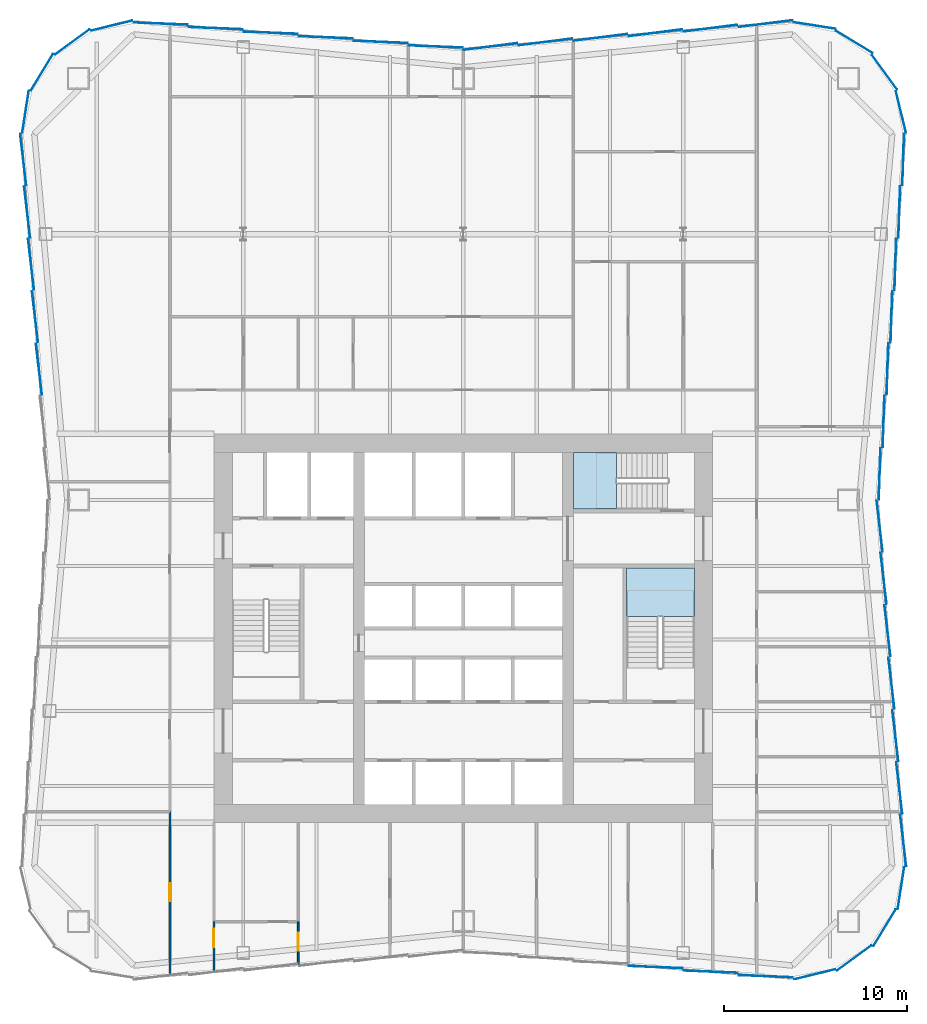
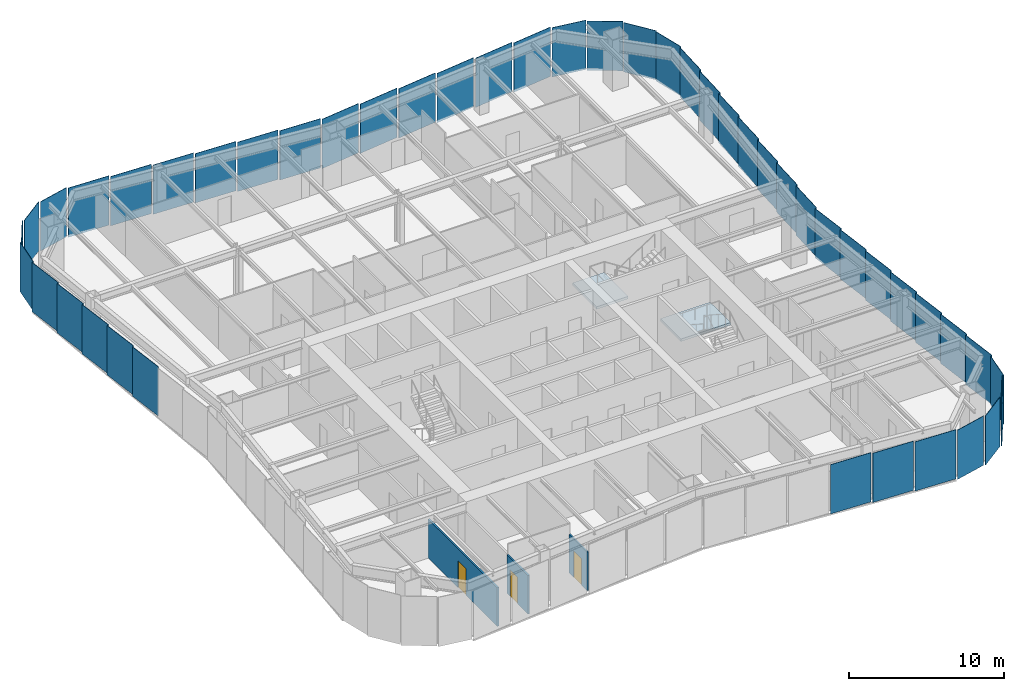
# One storey, part 3 of 8: 46 plates, 3 doors, 3 walls, 2 slabs, 3 openings, 9 elements without a shape of their own.
"""IFC4 building model written with IfcOpenShell, lengths in metres."""

from ifc_helpers import new_model, si_unit, direction, frame, frame_2d, origin, origin_2d, place, context, subcontext, project, spatial, polyline, rectangle, outline, extrude, material, layer, layer_set, type_object, element, fill, aggregate, save


model = new_model("IFC4")

# Units and contexts
model_context = context("Model", 3, precision=1e-05, world=origin(), true_north=direction((0.0, 1.0)))
body_context = subcontext(model_context, "Body", "Model", "MODEL_VIEW")
ifc_project = project(units=[si_unit("LENGTHUNIT", "METRE"), si_unit("AREAUNIT", "SQUARE_METRE"), si_unit("VOLUMEUNIT", "CUBIC_METRE"), si_unit("PLANEANGLEUNIT", "RADIAN"), si_unit("MASSUNIT", "GRAM", prefix="KILO")], contexts=[model_context])

# Site, building, storey
site_placement = place(None, origin())
site = spatial("IfcSite", under=ifc_project, at=site_placement, CompositionType="ELEMENT")
building_placement = place(site_placement, origin())
building = spatial("IfcBuilding", under=site, at=building_placement, Name="Verdant Reach Tower", CompositionType="ELEMENT")
storey_placement = place(building_placement, frame((0.0, 0.0, 158.0)))
storey = spatial("IfcBuildingStorey", under=building, at=storey_placement, Name="L36", CompositionType="ELEMENT", Elevation=158.0)

# Stair, slab
ifc_material_1 = material(Name="Concrete C40/50", Category="concrete")
stair_type = type_object("IfcStairType", Name="CO-STAIR", PredefinedType="HALF_TURN_STAIR", material=ifc_material_1)
stair_1_placement = place(storey_placement, origin())
stair_1 = element("IfcStair", 1, at=stair_1_placement, inside=storey, type_object=stair_type, Name="L36 Exit stair 2", PredefinedType="HALF_TURN_STAIR")
ifc_layer_1 = layer(ifc_material_1, 0.199951171875)
ifc_layer_set_1 = layer_set([ifc_layer_1], Name="CO-STAIR-LANDING")
slab_type = type_object("IfcSlabType", Name="CO-STAIR-LANDING", PredefinedType="LANDING", material=ifc_layer_set_1)
slab_1_placement = place(storey_placement, frame((0.0, 0.0, 1.800048828125)))
slab_1 = element("IfcSlab", 2, at=slab_1_placement, type_object=slab_type, Name="ST-2 landing 1", PredefinedType="LANDING", context=body_context, shape_type="SweptSolid", body=[
    extrude(outline(polyline([(12.60009765625, 28.64990234375), (12.60009765625, 31.300048828125), (8.89990234375, 31.300048828125), (8.89990234375, 28.64990234375), (12.60009765625, 28.64990234375)])), origin(), (0.0, 0.0, 1.0), 0.199951171875),
])
aggregate(stair_1, [slab_1])

stair_2_placement = place(storey_placement, origin())
stair_2 = element("IfcStair", 3, at=stair_2_placement, inside=storey, type_object=stair_type, Name="L36 Exit stair 3", PredefinedType="HALF_TURN_STAIR")
slab_2_placement = place(storey_placement, frame((0.0, 0.0, 1.800048828125)))
slab_2 = element("IfcSlab", 4, at=slab_2_placement, type_object=slab_type, Name="ST-3 landing 1", PredefinedType="LANDING", context=body_context, shape_type="SweptSolid", body=[
    extrude(outline(polyline([(8.35009765625, 37.60009765625), (6.0, 37.60009765625), (6.0, 34.5), (8.35009765625, 34.5), (8.35009765625, 37.60009765625)])), origin(), (0.0, 0.0, 1.0), 0.199951171875),
])
aggregate(stair_2, [slab_2])

# Curtain wall, plates
ifc_material_2 = material(Name="Anodised aluminium", Category="aluminium")
curtain_wall_type = type_object("IfcCurtainWallType", Name="EN-CW SYSTEM Z2", PredefinedType="NOTDEFINED", material=ifc_material_2)
curtain_wall_1_placement = place(storey_placement, origin())
curtain_wall_1 = element("IfcCurtainWall", 5, at=curtain_wall_1_placement, inside=storey, type_object=curtain_wall_type, Name="Curtain wall south-east corner, L36", PredefinedType="NOTDEFINED")
ifc_material_3 = material(Name="Tinted glass with champagne spandrel", Category="glass")
ifc_layer_2 = layer(ifc_material_3, 0.031982421875)
ifc_layer_set_2 = layer_set([ifc_layer_2], Name="EN-PANEL CHAMPAGNE")
plate_type_1 = type_object("IfcPlateType", Name="EN-PANEL CHAMPAGNE", PredefinedType="CURTAIN_PANEL", material=ifc_layer_set_2)
plate_1_placement = place(storey_placement, frame((21.3271484375, 10.0205078125, -0.22607421875), z_axis=(0.0, 0.0, 1.0), x_axis=(0.807456760688, 0.589926757843, 0.0)))
plate_1 = element("IfcPlate", 6, at=plate_1_placement, type_object=plate_type_1, Name="Glass panel south-east corner 2.1, L36", PredefinedType="CURTAIN_PANEL", context=body_context, shape_type="SweptSolid", body=[
    extrude(rectangle(XDim=2.322509765625, YDim=0.031982421875, at=origin_2d()), origin(), (0.0, 0.0, 1.0), 3.8759765625),
])
plate_2_placement = place(storey_placement, frame((22.9794921875, 11.6728515625, -0.22607421875), z_axis=(0.0, 0.0, 1.0), x_axis=(0.520291561353, 0.853988694998, 0.0)))
plate_2 = element("IfcPlate", 7, at=plate_2_placement, type_object=plate_type_1, Name="Glass panel south-east corner 3.1, L36", PredefinedType="CURTAIN_PANEL", context=body_context, shape_type="SweptSolid", body=[
    extrude(rectangle(XDim=2.322509765625, YDim=0.031982421875, at=origin_2d()), origin(), (0.0, 0.0, 1.0), 3.8759765625),
])
plate_3_placement = place(storey_placement, frame((23.87353515625, 13.828369140625, -0.22607421875), z_axis=(0.0, 0.0, 1.0), x_axis=(0.154281290631, 0.988026964896, 0.0)))
plate_3 = element("IfcPlate", 8, at=plate_3_placement, type_object=plate_type_1, Name="Glass panel south-east corner 4.1, L36", PredefinedType="CURTAIN_PANEL", context=body_context, shape_type="SweptSolid", body=[
    extrude(rectangle(XDim=2.316162109375, YDim=0.031982421875, at=origin_2d()), origin(), (0.0, 0.0, 1.0), 3.8759765625),
])

curtain_wall_2_placement = place(storey_placement, origin())
curtain_wall_2 = element("IfcCurtainWall", 9, at=curtain_wall_2_placement, inside=storey, type_object=curtain_wall_type, Name="Curtain wall east, L36", PredefinedType="NOTDEFINED")
plate_4_placement = place(storey_placement, frame((23.99853515625, 16.42919921875, -0.22607421875), z_axis=(0.0, 0.0, 1.0), x_axis=(-0.116147092358, 0.993232023717, 0.0)))
plate_4 = element("IfcPlate", 10, at=plate_4_placement, type_object=plate_type_1, Name="Glass panel east face part 1 1.1, L36", PredefinedType="CURTAIN_PANEL", context=body_context, shape_type="SweptSolid", body=[
    extrude(rectangle(XDim=2.819580078125, YDim=0.031982421875, at=origin_2d()), origin(), (0.0, 0.0, 1.0), 3.8759765625),
])
plate_5_placement = place(storey_placement, frame((23.7841796875, 19.293701171875, -0.22607421875), z_axis=(0.0, 0.0, 1.0), x_axis=(-0.116482717753, 0.993192718693, 0.0)))
plate_5 = element("IfcPlate", 11, at=plate_5_placement, type_object=plate_type_1, Name="Glass panel east face part 1 2.1, L36", PredefinedType="CURTAIN_PANEL", context=body_context, shape_type="SweptSolid", body=[
    extrude(rectangle(XDim=2.80517578125, YDim=0.031982421875, at=origin_2d()), origin(), (0.0, 0.0, 1.0), 3.8759765625),
])
plate_6_placement = place(storey_placement, frame((22.92724609375, 39.27783203125, -0.22607421875), z_axis=(0.0, 0.0, 1.0), x_axis=(0.032965971753, 0.999456474643, 0.0)))
plate_6 = element("IfcPlate", 12, at=plate_6_placement, type_object=plate_type_1, Name="Glass panel east face part 2 2.1, L36", PredefinedType="CURTAIN_PANEL", context=body_context, shape_type="SweptSolid", body=[
    extrude(rectangle(XDim=2.80517578125, YDim=0.031982421875, at=origin_2d()), origin(), (0.0, 0.0, 1.0), 3.8759765625),
])
plate_7_placement = place(storey_placement, frame((23.141357421875, 42.135009765625, -0.22607421875), z_axis=(0.0, 0.0, 1.0), x_axis=(0.032965971753, 0.999456474643, 0.0)))
plate_7 = element("IfcPlate", 13, at=plate_7_placement, type_object=plate_type_1, Name="Glass panel east face part 2 3.1, L36", PredefinedType="CURTAIN_PANEL", context=body_context, shape_type="SweptSolid", body=[
    extrude(rectangle(XDim=2.80517578125, YDim=0.031982421875, at=origin_2d()), origin(), (0.0, 0.0, 1.0), 3.8759765625),
])
plate_8_placement = place(storey_placement, frame((23.355712890625, 44.9921875, -0.22607421875), z_axis=(0.0, 0.0, 1.0), x_axis=(0.032965971753, 0.999456474643, 0.0)))
plate_8 = element("IfcPlate", 14, at=plate_8_placement, type_object=plate_type_1, Name="Glass panel east face part 2 4.1, L36", PredefinedType="CURTAIN_PANEL", context=body_context, shape_type="SweptSolid", body=[
    extrude(rectangle(XDim=2.80517578125, YDim=0.031982421875, at=origin_2d()), origin(), (0.0, 0.0, 1.0), 3.8759765625),
])

curtain_wall_3_placement = place(storey_placement, origin())
curtain_wall_3 = element("IfcCurtainWall", 15, at=curtain_wall_3_placement, inside=storey, type_object=curtain_wall_type, Name="Curtain wall north-east corner, L36", PredefinedType="NOTDEFINED")
plate_9_placement = place(storey_placement, frame((23.87353515625, 56.171630859375, -0.22607421875), z_axis=(0.0, 0.0, 1.0), x_axis=(-0.236416170006, 0.971651889598, 0.0)))
plate_9 = element("IfcPlate", 16, at=plate_9_placement, type_object=plate_type_1, Name="Glass panel north-east corner 1.1, L36", PredefinedType="CURTAIN_PANEL", context=body_context, shape_type="SweptSolid", body=[
    extrude(rectangle(XDim=2.316162109375, YDim=0.031982421875, at=origin_2d()), origin(), (0.0, 0.0, 1.0), 3.8759765625),
])
plate_10_placement = place(storey_placement, frame((22.9794921875, 58.3271484375, -0.22607421875), z_axis=(0.0, 0.0, 1.0), x_axis=(-0.589926757843, 0.807456760688, 0.0)))
plate_10 = element("IfcPlate", 17, at=plate_10_placement, type_object=plate_type_1, Name="Glass panel north-east corner 2.1, L36", PredefinedType="CURTAIN_PANEL", context=body_context, shape_type="SweptSolid", body=[
    extrude(rectangle(XDim=2.322509765625, YDim=0.031982421875, at=origin_2d()), origin(), (0.0, 0.0, 1.0), 3.8759765625),
])

curtain_wall_4_placement = place(storey_placement, origin())
curtain_wall_4 = element("IfcCurtainWall", 18, at=curtain_wall_4_placement, inside=storey, type_object=curtain_wall_type, Name="Curtain wall north, L36", PredefinedType="NOTDEFINED")
plate_11_placement = place(storey_placement, frame((1.49560546875, 59.730712890625, -0.22607421875), z_axis=(0.0, 0.0, 1.0), x_axis=(-0.992178815188, -0.12482467181, 0.0)))
plate_11 = element("IfcPlate", 19, at=plate_11_placement, type_object=plate_type_1, Name="Glass panel north face part 1 6.1, L36", PredefinedType="CURTAIN_PANEL", context=body_context, shape_type="SweptSolid", body=[
    extrude(rectangle(XDim=2.941650390625, YDim=0.031982421875, at=origin_2d()), origin(), (0.0, 0.0, 1.0), 3.8759765625),
])
plate_12_placement = place(storey_placement, frame((-1.49560546875, 59.730712890625, -0.22607421875), z_axis=(0.0, 0.0, 1.0), x_axis=(-0.999144163765, 0.041363510662, 0.0)))
plate_12 = element("IfcPlate", 20, at=plate_12_placement, type_object=plate_type_1, Name="Glass panel north face part 2 1.1, L36", PredefinedType="CURTAIN_PANEL", context=body_context, shape_type="SweptSolid", body=[
    extrude(rectangle(XDim=2.941650390625, YDim=0.031982421875, at=origin_2d()), origin(), (0.0, 0.0, 1.0), 3.8759765625),
])
plate_13_placement = place(storey_placement, frame((-4.4912109375, 59.980712890625, -0.22607421875), z_axis=(0.0, 0.0, 1.0), x_axis=(-0.999149202059, 0.041241629766, 0.0)))
plate_13 = element("IfcPlate", 21, at=plate_13_placement, type_object=plate_type_1, Name="Glass panel north face part 2 2.1, L36", PredefinedType="CURTAIN_PANEL", context=body_context, shape_type="SweptSolid", body=[
    extrude(rectangle(XDim=2.950439453125, YDim=0.031982421875, at=origin_2d()), origin(), (0.0, 0.0, 1.0), 3.8759765625),
])

# Curtain wall, plate
curtain_wall_5_placement = place(storey_placement, origin())
curtain_wall_5 = element("IfcCurtainWall", 22, at=curtain_wall_5_placement, inside=storey, type_object=curtain_wall_type, Name="Curtain wall west, L36", PredefinedType="NOTDEFINED")
plate_14_placement = place(storey_placement, frame((-23.141357421875, 42.135009765625, -0.22607421875), z_axis=(0.0, 0.0, 1.0), x_axis=(0.116482717753, -0.993192718693, 0.0)))
plate_14 = element("IfcPlate", 23, at=plate_14_placement, type_object=plate_type_1, Name="Glass panel west face part 1 5.1, L36", PredefinedType="CURTAIN_PANEL", context=body_context, shape_type="SweptSolid", body=[
    extrude(rectangle(XDim=2.80517578125, YDim=0.031982421875, at=origin_2d()), origin(), (0.0, 0.0, 1.0), 3.8759765625),
])

# Curtain wall, plates
curtain_wall_6_placement = place(storey_placement, origin())
curtain_wall_6 = element("IfcCurtainWall", 24, at=curtain_wall_6_placement, inside=storey, type_object=curtain_wall_type, Name="Curtain wall south, L36", PredefinedType="NOTDEFINED")
plate_15_placement = place(storey_placement, frame((10.4912109375, 9.519287109375, -0.22607421875), z_axis=(0.0, 0.0, 1.0), x_axis=(0.999149202059, -0.041241629766, 0.0)))
plate_15 = element("IfcPlate", 25, at=plate_15_placement, type_object=plate_type_1, Name="Glass panel south face part 2 4.1, L36", PredefinedType="CURTAIN_PANEL", context=body_context, shape_type="SweptSolid", body=[
    extrude(rectangle(XDim=2.950439453125, YDim=0.031982421875, at=origin_2d()), origin(), (0.0, 0.0, 1.0), 3.8759765625),
])
plate_16_placement = place(storey_placement, frame((13.4912109375, 9.269287109375, -0.22607421875), z_axis=(0.0, 0.0, 1.0), x_axis=(0.999149202059, -0.041241629766, 0.0)))
plate_16 = element("IfcPlate", 26, at=plate_16_placement, type_object=plate_type_1, Name="Glass panel south face part 2 5.1, L36", PredefinedType="CURTAIN_PANEL", context=body_context, shape_type="SweptSolid", body=[
    extrude(rectangle(XDim=2.950439453125, YDim=0.031982421875, at=origin_2d()), origin(), (0.0, 0.0, 1.0), 3.8759765625),
])

# Plate
ifc_material_4 = material(Name="Tinted glass with copper spandrel", Category="glass")
ifc_layer_3 = layer(ifc_material_4, 0.031982421875)
ifc_layer_set_3 = layer_set([ifc_layer_3], Name="EN-PANEL COPPER")
plate_type_2 = type_object("IfcPlateType", Name="EN-PANEL COPPER", PredefinedType="CURTAIN_PANEL", material=ifc_layer_set_3)
plate_17_placement = place(storey_placement, frame((23.570068359375, 22.15087890625, -0.22607421875), z_axis=(0.0, 0.0, 1.0), x_axis=(-0.116482717753, 0.993192718693, 0.0)))
plate_17 = element("IfcPlate", 27, at=plate_17_placement, type_object=plate_type_2, Name="Glass panel east face part 1 3.1, L36", PredefinedType="CURTAIN_PANEL", context=body_context, shape_type="SweptSolid", body=[
    extrude(rectangle(XDim=2.80517578125, YDim=0.031982421875, at=origin_2d()), origin(), (0.0, 0.0, 1.0), 3.8759765625),
])

plate_18_placement = place(storey_placement, frame((23.355712890625, 25.0078125, -0.22607421875), z_axis=(0.0, 0.0, 1.0), x_axis=(-0.116482717753, 0.993192718693, 0.0)))
plate_18 = element("IfcPlate", 28, at=plate_18_placement, type_object=plate_type_2, Name="Glass panel east face part 1 4.1, L36", PredefinedType="CURTAIN_PANEL", context=body_context, shape_type="SweptSolid", body=[
    extrude(rectangle(XDim=2.80517578125, YDim=0.031982421875, at=origin_2d()), origin(), (0.0, 0.0, 1.0), 3.8759765625),
])

plate_19_placement = place(storey_placement, frame((23.141357421875, 27.864990234375, -0.22607421875), z_axis=(0.0, 0.0, 1.0), x_axis=(-0.116482717753, 0.993192718693, 0.0)))
plate_19 = element("IfcPlate", 29, at=plate_19_placement, type_object=plate_type_2, Name="Glass panel east face part 1 5.1, L36", PredefinedType="CURTAIN_PANEL", context=body_context, shape_type="SweptSolid", body=[
    extrude(rectangle(XDim=2.80517578125, YDim=0.031982421875, at=origin_2d()), origin(), (0.0, 0.0, 1.0), 3.8759765625),
])

plate_20_placement = place(storey_placement, frame((23.570068359375, 47.84912109375, -0.22607421875), z_axis=(0.0, 0.0, 1.0), x_axis=(0.032965971753, 0.999456474643, 0.0)))
plate_20 = element("IfcPlate", 30, at=plate_20_placement, type_object=plate_type_2, Name="Glass panel east face part 2 5.1, L36", PredefinedType="CURTAIN_PANEL", context=body_context, shape_type="SweptSolid", body=[
    extrude(rectangle(XDim=2.80517578125, YDim=0.031982421875, at=origin_2d()), origin(), (0.0, 0.0, 1.0), 3.8759765625),
])

plate_21_placement = place(storey_placement, frame((23.7841796875, 50.706298828125, -0.22607421875), z_axis=(0.0, 0.0, 1.0), x_axis=(0.032965971753, 0.999456474643, 0.0)))
plate_21 = element("IfcPlate", 31, at=plate_21_placement, type_object=plate_type_2, Name="Glass panel east face part 2 6.1, L36", PredefinedType="CURTAIN_PANEL", context=body_context, shape_type="SweptSolid", body=[
    extrude(rectangle(XDim=2.80517578125, YDim=0.031982421875, at=origin_2d()), origin(), (0.0, 0.0, 1.0), 3.8759765625),
])

plate_22_placement = place(storey_placement, frame((21.3271484375, 59.9794921875, -0.22607421875), z_axis=(0.0, 0.0, 1.0), x_axis=(-0.853988694998, 0.520291561353, 0.0)))
plate_22 = element("IfcPlate", 32, at=plate_22_placement, type_object=plate_type_2, Name="Glass panel north-east corner 3.1, L36", PredefinedType="CURTAIN_PANEL", context=body_context, shape_type="SweptSolid", body=[
    extrude(rectangle(XDim=2.322509765625, YDim=0.031982421875, at=origin_2d()), origin(), (0.0, 0.0, 1.0), 3.8759765625),
])

plate_23_placement = place(storey_placement, frame((19.17138671875, 60.87353515625, -0.22607421875), z_axis=(0.0, 0.0, 1.0), x_axis=(-0.988030887576, 0.154256167447, 0.0)))
plate_23 = element("IfcPlate", 33, at=plate_23_placement, type_object=plate_type_2, Name="Glass panel north-east corner 4.1, L36", PredefinedType="CURTAIN_PANEL", context=body_context, shape_type="SweptSolid", body=[
    extrude(rectangle(XDim=2.31640625, YDim=0.031982421875, at=origin_2d()), origin(), (0.0, 0.0, 1.0), 3.8759765625),
])

aggregate(curtain_wall_3, [plate_9, plate_10, plate_22, plate_23])

plate_24_placement = place(storey_placement, frame((16.49853515625, 60.980712890625, -0.22607421875), z_axis=(0.0, 0.0, 1.0), x_axis=(-0.992236570309, -0.124364739946, 0.0)))
plate_24 = element("IfcPlate", 34, at=plate_24_placement, type_object=plate_type_2, Name="Glass panel north face part 1 1.1, L36", PredefinedType="CURTAIN_PANEL", context=body_context, shape_type="SweptSolid", body=[
    extrude(rectangle(XDim=2.965087890625, YDim=0.031982421875, at=origin_2d()), origin(), (0.0, 0.0, 1.0), 3.8759765625),
])

plate_25_placement = place(storey_placement, frame((13.4912109375, 60.730712890625, -0.22607421875), z_axis=(0.0, 0.0, 1.0), x_axis=(-0.992194034542, -0.124703639961, 0.0)))
plate_25 = element("IfcPlate", 35, at=plate_25_placement, type_object=plate_type_2, Name="Glass panel north face part 1 2.1, L36", PredefinedType="CURTAIN_PANEL", context=body_context, shape_type="SweptSolid", body=[
    extrude(rectangle(XDim=2.950439453125, YDim=0.031982421875, at=origin_2d()), origin(), (0.0, 0.0, 1.0), 3.8759765625),
])

plate_26_placement = place(storey_placement, frame((10.4912109375, 60.480712890625, -0.22607421875), z_axis=(0.0, 0.0, 1.0), x_axis=(-0.992194034542, -0.124703639961, 0.0)))
plate_26 = element("IfcPlate", 36, at=plate_26_placement, type_object=plate_type_2, Name="Glass panel north face part 1 3.1, L36", PredefinedType="CURTAIN_PANEL", context=body_context, shape_type="SweptSolid", body=[
    extrude(rectangle(XDim=2.950439453125, YDim=0.031982421875, at=origin_2d()), origin(), (0.0, 0.0, 1.0), 3.8759765625),
])

plate_27_placement = place(storey_placement, frame((-7.4912109375, 60.230712890625, -0.22607421875), z_axis=(0.0, 0.0, 1.0), x_axis=(-0.999149202059, 0.041241629766, 0.0)))
plate_27 = element("IfcPlate", 37, at=plate_27_placement, type_object=plate_type_2, Name="Glass panel north face part 2 3.1, L36", PredefinedType="CURTAIN_PANEL", context=body_context, shape_type="SweptSolid", body=[
    extrude(rectangle(XDim=2.950439453125, YDim=0.031982421875, at=origin_2d()), origin(), (0.0, 0.0, 1.0), 3.8759765625),
])

plate_28_placement = place(storey_placement, frame((-10.4912109375, 60.480712890625, -0.22607421875), z_axis=(0.0, 0.0, 1.0), x_axis=(-0.999149202059, 0.041241629766, 0.0)))
plate_28 = element("IfcPlate", 38, at=plate_28_placement, type_object=plate_type_2, Name="Glass panel north face part 2 4.1, L36", PredefinedType="CURTAIN_PANEL", context=body_context, shape_type="SweptSolid", body=[
    extrude(rectangle(XDim=2.950439453125, YDim=0.031982421875, at=origin_2d()), origin(), (0.0, 0.0, 1.0), 3.8759765625),
])

# Curtain wall, plates
curtain_wall_7_placement = place(storey_placement, origin())
curtain_wall_7 = element("IfcCurtainWall", 39, at=curtain_wall_7_placement, inside=storey, type_object=curtain_wall_type, Name="Curtain wall north-west corner, L36", PredefinedType="NOTDEFINED")
plate_29_placement = place(storey_placement, frame((-19.17138671875, 60.87353515625, -0.22607421875), z_axis=(0.0, 0.0, 1.0), x_axis=(-0.971657900775, -0.236391463174, 0.0)))
plate_29 = element("IfcPlate", 40, at=plate_29_placement, type_object=plate_type_2, Name="Glass panel north-west corner 1.1, L36", PredefinedType="CURTAIN_PANEL", context=body_context, shape_type="SweptSolid", body=[
    extrude(rectangle(XDim=2.31640625, YDim=0.031982421875, at=origin_2d()), origin(), (0.0, 0.0, 1.0), 3.8759765625),
])
plate_30_placement = place(storey_placement, frame((-21.3271484375, 59.9794921875, -0.22607421875), z_axis=(0.0, 0.0, 1.0), x_axis=(-0.807456760688, -0.589926757843, 0.0)))
plate_30 = element("IfcPlate", 41, at=plate_30_placement, type_object=plate_type_2, Name="Glass panel north-west corner 2.1, L36", PredefinedType="CURTAIN_PANEL", context=body_context, shape_type="SweptSolid", body=[
    extrude(rectangle(XDim=2.322509765625, YDim=0.031982421875, at=origin_2d()), origin(), (0.0, 0.0, 1.0), 3.8759765625),
])
plate_31_placement = place(storey_placement, frame((-22.9794921875, 58.3271484375, -0.22607421875), z_axis=(0.0, 0.0, 1.0), x_axis=(-0.520291561353, -0.853988694998, 0.0)))
plate_31 = element("IfcPlate", 42, at=plate_31_placement, type_object=plate_type_2, Name="Glass panel north-west corner 3.1, L36", PredefinedType="CURTAIN_PANEL", context=body_context, shape_type="SweptSolid", body=[
    extrude(rectangle(XDim=2.322509765625, YDim=0.031982421875, at=origin_2d()), origin(), (0.0, 0.0, 1.0), 3.8759765625),
])

# Plate
plate_32_placement = place(storey_placement, frame((-23.99853515625, 53.57080078125, -0.22607421875), z_axis=(0.0, 0.0, 1.0), x_axis=(0.116147092358, -0.993232023717, 0.0)))
plate_32 = element("IfcPlate", 43, at=plate_32_placement, type_object=plate_type_2, Name="Glass panel west face part 1 1.1, L36", PredefinedType="CURTAIN_PANEL", context=body_context, shape_type="SweptSolid", body=[
    extrude(rectangle(XDim=2.819580078125, YDim=0.031982421875, at=origin_2d()), origin(), (0.0, 0.0, 1.0), 3.8759765625),
])

plate_33_placement = place(storey_placement, frame((16.49853515625, 9.019287109375, -0.22607421875), z_axis=(0.0, 0.0, 1.0), x_axis=(0.999163230224, -0.040900359019, 0.0)))
plate_33 = element("IfcPlate", 44, at=plate_33_placement, type_object=plate_type_2, Name="Glass panel south face part 2 6.1, L36", PredefinedType="CURTAIN_PANEL", context=body_context, shape_type="SweptSolid", body=[
    extrude(rectangle(XDim=2.965087890625, YDim=0.031982421875, at=origin_2d()), origin(), (0.0, 0.0, 1.0), 3.8759765625),
])

aggregate(curtain_wall_6, [plate_15, plate_16, plate_33])

ifc_material_5 = material(Name="Tinted glass with dark bronze spandrel", Category="glass")
ifc_layer_4 = layer(ifc_material_5, 0.031982421875)
ifc_layer_set_4 = layer_set([ifc_layer_4], Name="EN-PANEL DARK")
plate_type_3 = type_object("IfcPlateType", Name="EN-PANEL DARK", PredefinedType="CURTAIN_PANEL", material=ifc_layer_set_4)
plate_34_placement = place(storey_placement, frame((19.17138671875, 9.12646484375, -0.22607421875), z_axis=(0.0, 0.0, 1.0), x_axis=(0.971657900775, 0.236391463174, 0.0)))
plate_34 = element("IfcPlate", 45, at=plate_34_placement, type_object=plate_type_3, Name="Glass panel south-east corner 1.1, L36", PredefinedType="CURTAIN_PANEL", context=body_context, shape_type="SweptSolid", body=[
    extrude(rectangle(XDim=2.31640625, YDim=0.031982421875, at=origin_2d()), origin(), (0.0, 0.0, 1.0), 3.8759765625),
])

aggregate(curtain_wall_1, [plate_34, plate_1, plate_2, plate_3])

plate_35_placement = place(storey_placement, frame((22.92724609375, 30.72216796875, -0.22607421875), z_axis=(0.0, 0.0, 1.0), x_axis=(-0.116482717753, 0.993192718693, 0.0)))
plate_35 = element("IfcPlate", 46, at=plate_35_placement, type_object=plate_type_3, Name="Glass panel east face part 1 6.1, L36", PredefinedType="CURTAIN_PANEL", context=body_context, shape_type="SweptSolid", body=[
    extrude(rectangle(XDim=2.80517578125, YDim=0.031982421875, at=origin_2d()), origin(), (0.0, 0.0, 1.0), 3.8759765625),
])

plate_36_placement = place(storey_placement, frame((22.712890625, 33.575439453125, -0.22607421875), z_axis=(0.0, 0.0, 1.0), x_axis=(-0.116585911919, 0.993180610535, 0.0)))
plate_36 = element("IfcPlate", 47, at=plate_36_placement, type_object=plate_type_3, Name="Glass panel east face part 1 7.1, L36", PredefinedType="CURTAIN_PANEL", context=body_context, shape_type="SweptSolid", body=[
    extrude(rectangle(XDim=2.797119140625, YDim=0.031982421875, at=origin_2d()), origin(), (0.0, 0.0, 1.0), 3.8759765625),
])

plate_37_placement = place(storey_placement, frame((22.712890625, 36.424560546875, -0.22607421875), z_axis=(0.0, 0.0, 1.0), x_axis=(0.033069817188, 0.999453044015, 0.0)))
plate_37 = element("IfcPlate", 48, at=plate_37_placement, type_object=plate_type_3, Name="Glass panel east face part 2 1.1, L36", PredefinedType="CURTAIN_PANEL", context=body_context, shape_type="SweptSolid", body=[
    extrude(rectangle(XDim=2.797119140625, YDim=0.031982421875, at=origin_2d()), origin(), (0.0, 0.0, 1.0), 3.8759765625),
])

plate_38_placement = place(storey_placement, frame((23.99853515625, 53.57080078125, -0.22607421875), z_axis=(0.0, 0.0, 1.0), x_axis=(0.032628234484, 0.99946755741, 0.0)))
plate_38 = element("IfcPlate", 49, at=plate_38_placement, type_object=plate_type_3, Name="Glass panel east face part 2 7.1, L36", PredefinedType="CURTAIN_PANEL", context=body_context, shape_type="SweptSolid", body=[
    extrude(rectangle(XDim=2.819580078125, YDim=0.031982421875, at=origin_2d()), origin(), (0.0, 0.0, 1.0), 3.8759765625),
])

aggregate(curtain_wall_2, [plate_4, plate_5, plate_17, plate_18, plate_19, plate_35, plate_36, plate_37, plate_6, plate_7, plate_8, plate_20, plate_21, plate_38])

plate_39_placement = place(storey_placement, frame((7.4912109375, 60.230712890625, -0.22607421875), z_axis=(0.0, 0.0, 1.0), x_axis=(-0.992194034542, -0.124703639961, 0.0)))
plate_39 = element("IfcPlate", 50, at=plate_39_placement, type_object=plate_type_3, Name="Glass panel north face part 1 4.1, L36", PredefinedType="CURTAIN_PANEL", context=body_context, shape_type="SweptSolid", body=[
    extrude(rectangle(XDim=2.950439453125, YDim=0.031982421875, at=origin_2d()), origin(), (0.0, 0.0, 1.0), 3.8759765625),
])

plate_40_placement = place(storey_placement, frame((4.4912109375, 59.980712890625, -0.22607421875), z_axis=(0.0, 0.0, 1.0), x_axis=(-0.992194034542, -0.124703639961, 0.0)))
plate_40 = element("IfcPlate", 51, at=plate_40_placement, type_object=plate_type_3, Name="Glass panel north face part 1 5.1, L36", PredefinedType="CURTAIN_PANEL", context=body_context, shape_type="SweptSolid", body=[
    extrude(rectangle(XDim=2.950439453125, YDim=0.031982421875, at=origin_2d()), origin(), (0.0, 0.0, 1.0), 3.8759765625),
])

plate_41_placement = place(storey_placement, frame((-13.4912109375, 60.730712890625, -0.22607421875), z_axis=(0.0, 0.0, 1.0), x_axis=(-0.999149202059, 0.041241629766, 0.0)))
plate_41 = element("IfcPlate", 52, at=plate_41_placement, type_object=plate_type_3, Name="Glass panel north face part 2 5.1, L36", PredefinedType="CURTAIN_PANEL", context=body_context, shape_type="SweptSolid", body=[
    extrude(rectangle(XDim=2.950439453125, YDim=0.031982421875, at=origin_2d()), origin(), (0.0, 0.0, 1.0), 3.8759765625),
])

plate_42_placement = place(storey_placement, frame((-16.49853515625, 60.980712890625, -0.22607421875), z_axis=(0.0, 0.0, 1.0), x_axis=(-0.999163230224, 0.040900359019, 0.0)))
plate_42 = element("IfcPlate", 53, at=plate_42_placement, type_object=plate_type_3, Name="Glass panel north face part 2 6.1, L36", PredefinedType="CURTAIN_PANEL", context=body_context, shape_type="SweptSolid", body=[
    extrude(rectangle(XDim=2.965087890625, YDim=0.031982421875, at=origin_2d()), origin(), (0.0, 0.0, 1.0), 3.8759765625),
])

aggregate(curtain_wall_4, [plate_24, plate_25, plate_26, plate_39, plate_40, plate_11, plate_12, plate_13, plate_27, plate_28, plate_41, plate_42])

plate_43_placement = place(storey_placement, frame((-23.87353515625, 56.171630859375, -0.22607421875), z_axis=(0.0, 0.0, 1.0), x_axis=(-0.154281290631, -0.988026964896, 0.0)))
plate_43 = element("IfcPlate", 54, at=plate_43_placement, type_object=plate_type_3, Name="Glass panel north-west corner 4.1, L36", PredefinedType="CURTAIN_PANEL", context=body_context, shape_type="SweptSolid", body=[
    extrude(rectangle(XDim=2.316162109375, YDim=0.031982421875, at=origin_2d()), origin(), (0.0, 0.0, 1.0), 3.8759765625),
])

aggregate(curtain_wall_7, [plate_29, plate_30, plate_31, plate_43])

plate_44_placement = place(storey_placement, frame((-23.7841796875, 50.706298828125, -0.22607421875), z_axis=(0.0, 0.0, 1.0), x_axis=(0.116482717753, -0.993192718693, 0.0)))
plate_44 = element("IfcPlate", 55, at=plate_44_placement, type_object=plate_type_3, Name="Glass panel west face part 1 2.1, L36", PredefinedType="CURTAIN_PANEL", context=body_context, shape_type="SweptSolid", body=[
    extrude(rectangle(XDim=2.80517578125, YDim=0.031982421875, at=origin_2d()), origin(), (0.0, 0.0, 1.0), 3.8759765625),
])

plate_45_placement = place(storey_placement, frame((-23.570068359375, 47.84912109375, -0.22607421875), z_axis=(0.0, 0.0, 1.0), x_axis=(0.116482717753, -0.993192718693, 0.0)))
plate_45 = element("IfcPlate", 56, at=plate_45_placement, type_object=plate_type_3, Name="Glass panel west face part 1 3.1, L36", PredefinedType="CURTAIN_PANEL", context=body_context, shape_type="SweptSolid", body=[
    extrude(rectangle(XDim=2.80517578125, YDim=0.031982421875, at=origin_2d()), origin(), (0.0, 0.0, 1.0), 3.8759765625),
])

plate_46_placement = place(storey_placement, frame((-23.355712890625, 44.9921875, -0.22607421875), z_axis=(0.0, 0.0, 1.0), x_axis=(0.116482717753, -0.993192718693, 0.0)))
plate_46 = element("IfcPlate", 57, at=plate_46_placement, type_object=plate_type_3, Name="Glass panel west face part 1 4.1, L36", PredefinedType="CURTAIN_PANEL", context=body_context, shape_type="SweptSolid", body=[
    extrude(rectangle(XDim=2.80517578125, YDim=0.031982421875, at=origin_2d()), origin(), (0.0, 0.0, 1.0), 3.8759765625),
])

aggregate(curtain_wall_5, [plate_32, plate_44, plate_45, plate_46, plate_14])

# Wall, opening, door
ifc_material_6 = material(Name="Gypsum board on steel studs", Category="steel")
ifc_layer_5 = layer(ifc_material_6, 0.10009765625)
ifc_layer_set_5 = layer_set([ifc_layer_5], Name="FL-W1 Partition 100")
wall_type_1 = type_object("IfcWallType", Name="FL-W1 Partition 100", PredefinedType="PARTITIONING", material=ifc_layer_set_5)
wall_1_placement = place(storey_placement, frame((-9.0, 12.00390625, 0.0), z_axis=(0.0, 0.0, 1.0), x_axis=(0.0, -1.0, 0.0)))
wall_1 = element("IfcWall", 58, at=wall_1_placement, inside=storey, type_object=wall_type_1, Name="Partition 36.38", PredefinedType="PARTITIONING", context=body_context, shape_type="SweptSolid", body=[
    extrude(rectangle(XDim=2.333984375, YDim=0.10009765625, at=frame_2d((1.1669921875, 0.0))), origin(), (0.0, 0.0, 1.0), 3.0400390625),
])
opening_1_placement = place(wall_1_placement, frame((0.601806640625, 0.0, 0.0)))
opening_1 = element("IfcOpeningElement", 59, at=opening_1_placement, cuts=wall_1, Name="Opening D3", PredefinedType="OPENING", context=body_context, shape_type="SweptSolid", body=[
    extrude(rectangle(XDim=1.0, YDim=2.10009765625, at=frame_2d((0.5, 1.050048828125))), frame((0.0, 0.06005859375, 0.0), z_axis=(0.0, -1.0, 0.0), x_axis=(1.0, 0.0, 0.0)), (0.0, 0.0, 1.0), 0.1201171875),
])
ifc_material_7 = material(Name="Painted timber door leaf", Category="wood")
door_type_1 = type_object("IfcDoorType", Name="FL-D3 Door 1000x2100", OperationType="NOTDEFINED", PredefinedType="DOOR", material=ifc_material_7)
door_1_placement = place(opening_1_placement, origin())
door_1 = element("IfcDoor", 60, at=door_1_placement, inside=storey, type_object=door_type_1, Name="Door 36-018", OperationType="SINGLE_SWING_LEFT", OverallHeight=2.10009765625, OverallWidth=1.0, PredefinedType="DOOR", context=body_context, shape_type="SweptSolid", body=[
    extrude(rectangle(XDim=1.0, YDim=2.10009765625, at=frame_2d((0.5, 1.050048828125))), frame((0.0, 0.02490234375, 0.0), z_axis=(0.0, -1.0, 0.0), x_axis=(1.0, 0.0, 0.0)), (0.0, 0.0, 1.0), 0.050048828125),
])
fill(opening_1, door_1)

ifc_material_8 = material(Name="Gypsum board on steel studs, fire rated", Category="steel")
ifc_layer_6 = layer(ifc_material_8, 0.125)
ifc_layer_set_6 = layer_set([ifc_layer_6], Name="FL-W2 Corridor wall 125")
wall_type_2 = type_object("IfcWallType", Name="FL-W2 Corridor wall 125", PredefinedType="PARTITIONING", material=ifc_layer_set_6)
wall_2_placement = place(storey_placement, frame((-16.0, 18.0, 0.0), z_axis=(0.0, 0.0, 1.0), x_axis=(0.0, -1.0, 0.0)))
wall_2 = element("IfcWall", 61, at=wall_2_placement, inside=storey, type_object=wall_type_2, Name="Partition 36.01", PredefinedType="PARTITIONING", context=body_context, shape_type="SweptSolid", body=[
    extrude(rectangle(XDim=8.913330078125, YDim=0.125, at=frame_2d((4.45654296875, 0.0))), origin(), (0.0, 0.0, 1.0), 3.0400390625),
])
opening_2_placement = place(wall_2_placement, frame((3.8916015625, 0.0, 0.0)))
opening_2 = element("IfcOpeningElement", 62, at=opening_2_placement, cuts=wall_2, Name="Opening D2", PredefinedType="OPENING", context=body_context, shape_type="SweptSolid", body=[
    extrude(rectangle(XDim=1.0, YDim=2.10009765625, at=frame_2d((0.5, 1.050048828125))), frame((0.0, 0.072509765625, 0.0), z_axis=(0.0, -1.0, 0.0), x_axis=(1.0, 0.0, 0.0)), (0.0, 0.0, 1.0), 0.14501953125),
])
ifc_material_9 = material(Name="Timber door leaf, fire rated", Category="wood")
door_type_2 = type_object("IfcDoorType", Name="FL-D2 Entrance door 1000x2100 FD30", OperationType="NOTDEFINED", PredefinedType="DOOR", material=ifc_material_9)
door_2_placement = place(opening_2_placement, origin())
door_2 = element("IfcDoor", 63, at=door_2_placement, inside=storey, type_object=door_type_2, Name="Door 36-001", OperationType="SINGLE_SWING_LEFT", OverallHeight=2.10009765625, OverallWidth=1.0, PredefinedType="DOOR", context=body_context, shape_type="SweptSolid", body=[
    extrude(rectangle(XDim=1.0, YDim=2.10009765625, at=frame_2d((0.5, 1.050048828125))), frame((0.0, 0.02490234375, 0.0), z_axis=(0.0, -1.0, 0.0), x_axis=(1.0, 0.0, 0.0)), (0.0, 0.0, 1.0), 0.050048828125),
])
fill(opening_2, door_2)

wall_3_placement = place(storey_placement, frame((-13.60009765625, 12.0, 0.0), z_axis=(0.0, 0.0, 1.0), x_axis=(0.0, -1.0, 0.0)))
wall_3 = element("IfcWall", 64, at=wall_3_placement, inside=storey, type_object=wall_type_2, Name="Partition 36.12", PredefinedType="PARTITIONING", context=body_context, shape_type="SweptSolid", body=[
    extrude(rectangle(XDim=2.71337890625, YDim=0.125, at=frame_2d((1.356689453125, 0.0))), origin(), (0.0, 0.0, 1.0), 3.0400390625),
])
opening_3_placement = place(wall_3_placement, frame((0.3916015625, 0.0, 0.0)))
opening_3 = element("IfcOpeningElement", 65, at=opening_3_placement, cuts=wall_3, Name="Opening D2", PredefinedType="OPENING", context=body_context, shape_type="SweptSolid", body=[
    extrude(rectangle(XDim=1.0, YDim=2.10009765625, at=frame_2d((0.5, 1.050048828125))), frame((0.0, 0.072509765625, 0.0), z_axis=(0.0, -1.0, 0.0), x_axis=(1.0, 0.0, 0.0)), (0.0, 0.0, 1.0), 0.14501953125),
])
door_3_placement = place(opening_3_placement, origin())
door_3 = element("IfcDoor", 66, at=door_3_placement, inside=storey, type_object=door_type_2, Name="Door 36-011", OperationType="SINGLE_SWING_LEFT", OverallHeight=2.10009765625, OverallWidth=1.0, PredefinedType="DOOR", context=body_context, shape_type="SweptSolid", body=[
    extrude(rectangle(XDim=1.0, YDim=2.10009765625, at=frame_2d((0.5, 1.050048828125))), frame((0.0, 0.02490234375, 0.0), z_axis=(0.0, -1.0, 0.0), x_axis=(1.0, 0.0, 0.0)), (0.0, 0.0, 1.0), 0.050048828125),
])
fill(opening_3, door_3)

save(model, "model.ifc")
